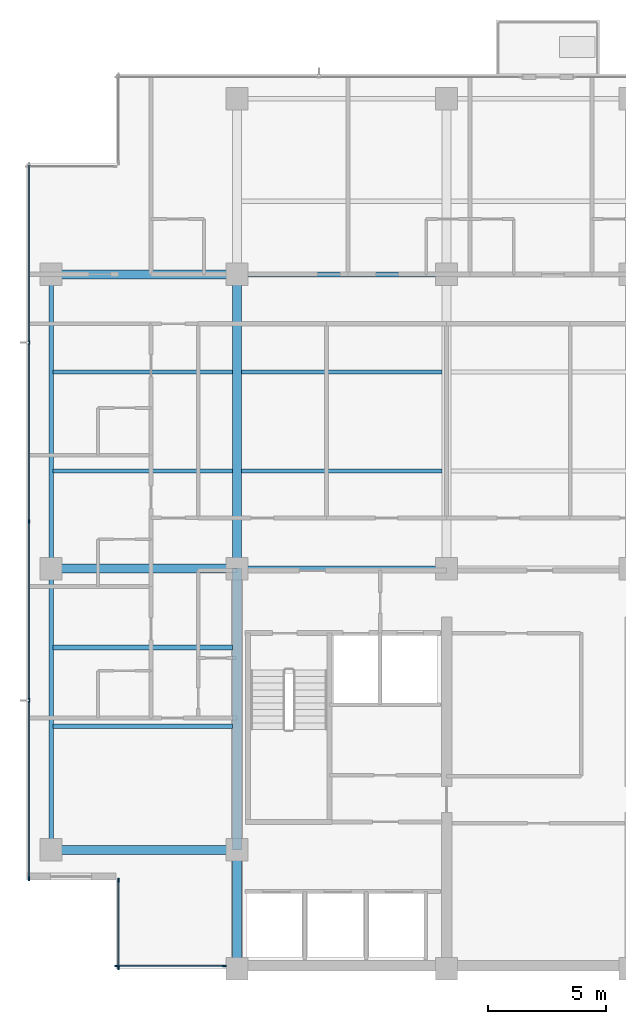
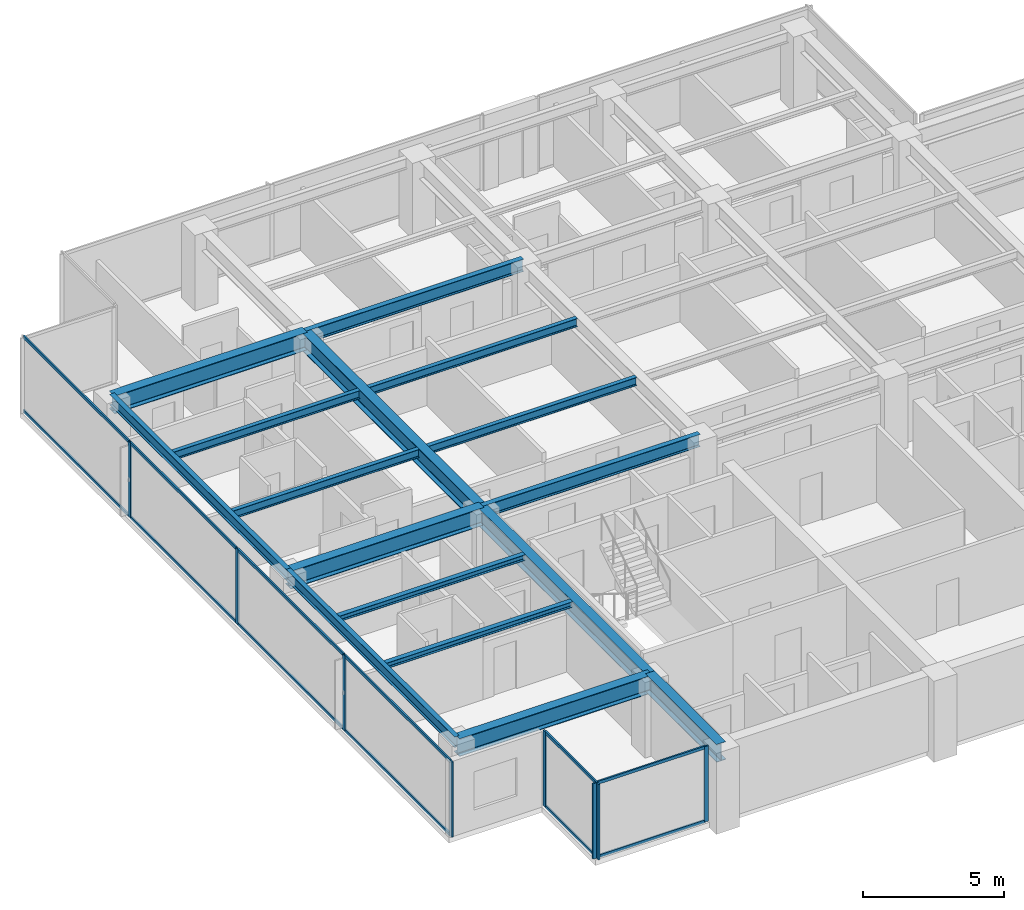
# One storey, part 2 of 15: 20 members, 16 beams, 3 elements without a shape of their own.
"""IFC4 building model written with IfcOpenShell, lengths in metres."""

from ifc_helpers import new_model, si_unit, direction, frame, origin, origin_2d, place, context, subcontext, project, spatial, rectangle, i_section, extrude, material, layer, layer_set, material_profile, profile_set, type_object, element, aggregate, save


model = new_model("IFC4")

# Units and contexts
model_context = context("Model", 3, precision=1e-05, world=origin(), true_north=direction((0.0, 1.0)))
body_context = subcontext(model_context, "Body", "Model", "MODEL_VIEW")
ifc_project = project(units=[si_unit("LENGTHUNIT", "METRE"), si_unit("AREAUNIT", "SQUARE_METRE"), si_unit("VOLUMEUNIT", "CUBIC_METRE"), si_unit("PLANEANGLEUNIT", "RADIAN"), si_unit("MASSUNIT", "GRAM", prefix="KILO")], contexts=[model_context])

# Site, building, storey
site_placement = place(None, origin())
site = spatial("IfcSite", under=ifc_project, at=site_placement, CompositionType="ELEMENT")
building_placement = place(site_placement, origin())
building = spatial("IfcBuilding", under=site, at=building_placement, Name="Qalmaran Belvedere Hotel", CompositionType="ELEMENT")
storey_placement = place(building_placement, frame((0.0, 0.0, 203.89990234375)))
storey = spatial("IfcBuildingStorey", under=building, at=storey_placement, Name="L51", CompositionType="ELEMENT", Elevation=203.89990234375)

# Beams
ifc_material_1 = material(Name="Steel S355JR", Category="steel")
ifc_material_profile_1 = material_profile(ifc_material_1, i_section(OverallWidth=0.201904296875, OverallDepth=0.2470703125, WebThickness=0.00732421875, FlangeThickness=0.010986328125, FilletRadius=0.011962890625, at=origin_2d()), Name="W250X49")
ifc_profile_set_1 = profile_set([ifc_material_profile_1], Name="Steel S355JR")
beam_type_1 = type_object("IfcBeamType", Name="BM-JST-W250X49", PredefinedType="JOIST", material=ifc_profile_set_1)
for number, where, z_axis, x_axis, name in (
    (1, (12.493896484375, 13.800048828125, 3.13671875), (1.0, 0.0, 0.0), (0.0, 1.0, 0.0), "L51 West Wing Joist 038"),
    (2, (12.493896484375, 17.14990234375, 3.13671875), (1.0, 0.0, 0.0), (0.0, 1.0, 0.0), "L51 West Wing Joist 040"),
):
    element("IfcBeam", number, at=place(storey_placement, frame(where, z_axis=z_axis, x_axis=x_axis)), inside=storey, type_object=beam_type_1, Name=name, PredefinedType="JOIST", context=body_context, shape_type="SweptSolid", body=[
        extrude(i_section(OverallWidth=0.201904296875, OverallDepth=0.2470703125, WebThickness=0.00732421875, FlangeThickness=0.010986328125, FilletRadius=0.011962890625, at=origin_2d()), origin(), (0.0, 0.0, 1.0), 7.61767578125),
    ])
ifc_material_profile_2 = material_profile(ifc_material_1, i_section(OverallWidth=0.381103515625, OverallDepth=0.77294921875, WebThickness=0.0166015625, FlangeThickness=0.027099609375, FilletRadius=0.02197265625, at=origin_2d()), Name="W760X257")
ifc_profile_set_2 = profile_set([ifc_material_profile_2], Name="Steel S355JR")
beam_type_2 = type_object("IfcBeamType", Name="BM-PG4-W760X257", PredefinedType="USERDEFINED", material=ifc_profile_set_2)
beam_1_placement = place(storey_placement, frame((20.300048828125, 20.5, 2.87353515625), z_axis=(0.0, 1.0, 0.0), x_axis=(-1.0, 0.0, 0.0)))
element("IfcBeam", 3, at=beam_1_placement, inside=storey, type_object=beam_type_2, Name="L51 Mid-Plate N-S Girder 14", ObjectType="GIRDER", PredefinedType="USERDEFINED", context=body_context, shape_type="SweptSolid", body=[
    extrude(i_section(OverallWidth=0.381103515625, OverallDepth=0.77294921875, WebThickness=0.0166015625, FlangeThickness=0.027099609375, FilletRadius=0.02197265625, at=origin_2d()), origin(), (0.0, 0.0, 1.0), 12.5),
])
for number, where, z_axis, x_axis, name in (
    (4, (12.39990234375, 8.550048828125, 2.87353515625), (1.0, 0.0, 0.0), (0.0, 1.0, 0.0), "L51 West Wing Girder 22"),
    (5, (12.39990234375, 20.5, 2.87353515625), (1.0, 0.0, 0.0), (0.0, 1.0, 0.0), "L51 West Wing Girder 23"),
    (6, (12.39990234375, 33.0, 2.87353515625), (1.0, 0.0, 0.0), (0.0, 1.0, 0.0), "L51 West Wing Girder 24"),
):
    element("IfcBeam", number, at=place(storey_placement, frame(where, z_axis=z_axis, x_axis=x_axis)), inside=storey, type_object=beam_type_2, Name=name, ObjectType="GIRDER", PredefinedType="USERDEFINED", context=body_context, shape_type="SweptSolid", body=[
        extrude(i_section(OverallWidth=0.381103515625, OverallDepth=0.77294921875, WebThickness=0.0166015625, FlangeThickness=0.027099609375, FilletRadius=0.02197265625, at=origin_2d()), origin(), (0.0, 0.0, 1.0), 7.900146484375),
    ])
beam_2_placement = place(storey_placement, frame((20.300048828125, 3.5, 2.87353515625), z_axis=(0.0, 1.0, 0.0), x_axis=(-1.0, 0.0, 0.0)))
element("IfcBeam", 7, at=beam_2_placement, inside=storey, type_object=beam_type_2, Name="L51 West Core Edge Girder A", ObjectType="GIRDER", PredefinedType="USERDEFINED", context=body_context, shape_type="SweptSolid", body=[
    extrude(i_section(OverallWidth=0.381103515625, OverallDepth=0.77294921875, WebThickness=0.0166015625, FlangeThickness=0.027099609375, FilletRadius=0.02197265625, at=origin_2d()), origin(), (0.0, 0.0, 1.0), 5.050048828125),
])
beam_3_placement = place(storey_placement, frame((20.300048828125, 8.550048828125, 2.87353515625), z_axis=(0.0, 1.0, 0.0), x_axis=(-1.0, 0.0, 0.0)))
element("IfcBeam", 8, at=beam_3_placement, inside=storey, type_object=beam_type_2, Name="L51 West Core Edge Girder B", ObjectType="GIRDER", PredefinedType="USERDEFINED", context=body_context, shape_type="SweptSolid", body=[
    extrude(i_section(OverallWidth=0.381103515625, OverallDepth=0.77294921875, WebThickness=0.0166015625, FlangeThickness=0.027099609375, FilletRadius=0.02197265625, at=origin_2d()), origin(), (0.0, 0.0, 1.0), 11.949951171875),
])
ifc_material_profile_3 = material_profile(ifc_material_1, i_section(OverallWidth=0.172119140625, OverallDepth=0.35791015625, WebThickness=0.0078125, FlangeThickness=0.01318359375, FilletRadius=0.014892578125, at=origin_2d()), Name="W360X57")
ifc_profile_set_3 = profile_set([ifc_material_profile_3], Name="Steel S355JR")
beam_type_3 = type_object("IfcBeamType", Name="BM-SB4-W360X57", PredefinedType="BEAM", material=ifc_profile_set_3)
beam_4_placement = place(storey_placement, frame((12.493896484375, 24.64990234375, 3.0810546875), z_axis=(1.0, 0.0, 0.0), x_axis=(0.0, 1.0, 0.0)))
element("IfcBeam", 9, at=beam_4_placement, inside=storey, type_object=beam_type_3, Name="L51 West Secondary Beam 028", PredefinedType="BEAM", context=body_context, shape_type="SweptSolid", body=[
    extrude(i_section(OverallWidth=0.172119140625, OverallDepth=0.35791015625, WebThickness=0.0078125, FlangeThickness=0.01318359375, FilletRadius=0.014892578125, at=origin_2d()), origin(), (0.0, 0.0, 1.0), 7.61767578125),
])
beam_5_placement = place(storey_placement, frame((20.488525390625, 24.64990234375, 3.0810546875), z_axis=(1.0, 0.0, 0.0), x_axis=(0.0, 1.0, 0.0)))
element("IfcBeam", 10, at=beam_5_placement, inside=storey, type_object=beam_type_3, Name="L51 Secondary Floor Beam 029", PredefinedType="BEAM", context=body_context, shape_type="SweptSolid", body=[
    extrude(i_section(OverallWidth=0.172119140625, OverallDepth=0.35791015625, WebThickness=0.0078125, FlangeThickness=0.01318359375, FilletRadius=0.014892578125, at=origin_2d()), origin(), (0.0, 0.0, 1.0), 8.52294921875),
])
beam_6_placement = place(storey_placement, frame((12.493896484375, 28.85009765625, 3.0810546875), z_axis=(1.0, 0.0, 0.0), x_axis=(0.0, 1.0, 0.0)))
element("IfcBeam", 11, at=beam_6_placement, inside=storey, type_object=beam_type_3, Name="L51 West Secondary Beam 033", PredefinedType="BEAM", context=body_context, shape_type="SweptSolid", body=[
    extrude(i_section(OverallWidth=0.172119140625, OverallDepth=0.35791015625, WebThickness=0.0078125, FlangeThickness=0.01318359375, FilletRadius=0.014892578125, at=origin_2d()), origin(), (0.0, 0.0, 1.0), 7.61767578125),
])
beam_7_placement = place(storey_placement, frame((20.488525390625, 28.85009765625, 3.0810546875), z_axis=(1.0, 0.0, 0.0), x_axis=(0.0, 1.0, 0.0)))
element("IfcBeam", 12, at=beam_7_placement, inside=storey, type_object=beam_type_3, Name="L51 Secondary Floor Beam 034", PredefinedType="BEAM", context=body_context, shape_type="SweptSolid", body=[
    extrude(i_section(OverallWidth=0.172119140625, OverallDepth=0.35791015625, WebThickness=0.0078125, FlangeThickness=0.01318359375, FilletRadius=0.014892578125, at=origin_2d()), origin(), (0.0, 0.0, 1.0), 8.52294921875),
])
ifc_material_profile_4 = material_profile(ifc_material_1, i_section(OverallWidth=0.19189453125, OverallDepth=0.462890625, WebThickness=0.010498046875, FlangeThickness=0.017578125, FilletRadius=0.01611328125, at=origin_2d()), Name="W460X89")
ifc_profile_set_4 = profile_set([ifc_material_profile_4], Name="Steel S355JR")
beam_type_4 = type_object("IfcBeamType", Name="BM-SP2-W460X89", PredefinedType="SPANDREL", material=ifc_profile_set_4)
beam_8_placement = place(storey_placement, frame((12.39990234375, 8.550048828125, 3.028564453125), z_axis=(0.0, 1.0, 0.0), x_axis=(-1.0, 0.0, 0.0)))
element("IfcBeam", 13, at=beam_8_placement, inside=storey, type_object=beam_type_4, Name="L51 Perimeter Spandrel 01", PredefinedType="SPANDREL", context=body_context, shape_type="SweptSolid", body=[
    extrude(i_section(OverallWidth=0.19189453125, OverallDepth=0.462890625, WebThickness=0.010498046875, FlangeThickness=0.017578125, FilletRadius=0.01611328125, at=origin_2d()), origin(), (0.0, 0.0, 1.0), 11.949951171875),
])
beam_9_placement = place(storey_placement, frame((12.39990234375, 20.5, 3.028564453125), z_axis=(0.0, 1.0, 0.0), x_axis=(-1.0, 0.0, 0.0)))
element("IfcBeam", 14, at=beam_9_placement, inside=storey, type_object=beam_type_4, Name="L51 Perimeter Spandrel 02", PredefinedType="SPANDREL", context=body_context, shape_type="SweptSolid", body=[
    extrude(i_section(OverallWidth=0.19189453125, OverallDepth=0.462890625, WebThickness=0.010498046875, FlangeThickness=0.017578125, FilletRadius=0.01611328125, at=origin_2d()), origin(), (0.0, 0.0, 1.0), 12.5),
])
ifc_material_profile_5 = material_profile(ifc_material_1, i_section(OverallWidth=0.2109375, OverallDepth=0.5390625, WebThickness=0.01171875, FlangeThickness=0.018798828125, FilletRadius=0.01806640625, at=origin_2d()), Name="W530X109")
ifc_profile_set_5 = profile_set([ifc_material_profile_5], Name="Steel S355JR")
beam_type_5 = type_object("IfcBeamType", Name="BM-Z4-W530X109", PredefinedType="USERDEFINED", material=ifc_profile_set_5)
for number, where, z_axis, x_axis, name in (
    (15, (20.300048828125, 20.5, 2.990478515625), (1.0, 0.0, 0.0), (0.0, 1.0, 0.0), "L51 Interior E-W Girder 08"),
    (16, (20.300048828125, 33.0, 2.990478515625), (1.0, 0.0, 0.0), (0.0, 1.0, 0.0), "L51 Interior E-W Girder 11"),
):
    element("IfcBeam", number, at=place(storey_placement, frame(where, z_axis=z_axis, x_axis=x_axis)), inside=storey, type_object=beam_type_5, Name=name, ObjectType="GIRDER", PredefinedType="USERDEFINED", context=body_context, shape_type="SweptSolid", body=[
        extrude(i_section(OverallWidth=0.2109375, OverallDepth=0.5390625, WebThickness=0.01171875, FlangeThickness=0.018798828125, FilletRadius=0.01806640625, at=origin_2d()), origin(), (0.0, 0.0, 1.0), 8.89990234375),
    ])

# Curtain wall, members
ifc_material_2 = material(Name="Anodised Bronze Aluminium", Category="aluminium")
ifc_layer = layer(ifc_material_2, 0.18994140625, Name="Anodised Bronze Aluminium")
ifc_layer_set = layer_set([ifc_layer], Name="Anodised Bronze Aluminium")
curtain_wall_type = type_object("IfcCurtainWallType", Name="CW5-TOWER-UPPER", PredefinedType="NOTDEFINED", material=ifc_layer_set)
curtain_wall_1_placement = place(storey_placement, origin())
curtain_wall_1 = element("IfcCurtainWall", 17, at=curtain_wall_1_placement, inside=storey, type_object=curtain_wall_type, Name="L51 Curtain Wall CW5", PredefinedType="NOTDEFINED")
ifc_material_profile_6 = material_profile(ifc_material_2, rectangle(XDim=0.06494140625, YDim=0.1650390625, at=origin_2d()), Name="CWM65X165")
ifc_profile_set_6 = profile_set([ifc_material_profile_6], Name="Anodised Bronze Aluminium")
member_type_1 = type_object("IfcMemberType", Name="CWM-65X165", PredefinedType="MULLION", material=ifc_profile_set_6)
member_1_placement = place(storey_placement, frame((15.1826171875, 3.6201171875, 0.0), z_axis=(0.0, 0.0, 1.0), x_axis=(0.0, 1.0, 0.0)))
member_1 = element("IfcMember", 18, at=member_1_placement, type_object=member_type_1, Name="CW5 mullion 1", PredefinedType="MULLION", context=body_context, shape_type="SweptSolid", body=[
    extrude(rectangle(XDim=0.06494140625, YDim=0.1650390625, at=origin_2d()), origin(), (0.0, 0.0, 1.0), 3.260009765625),
])
member_2_placement = place(storey_placement, frame((19.75244140625, 3.6201171875, 0.0), z_axis=(0.0, 0.0, 1.0), x_axis=(0.0, 1.0, 0.0)))
member_2 = element("IfcMember", 19, at=member_2_placement, type_object=member_type_1, Name="CW5 mullion 2", PredefinedType="MULLION", context=body_context, shape_type="SweptSolid", body=[
    extrude(rectangle(XDim=0.06494140625, YDim=0.1650390625, at=origin_2d()), origin(), (0.0, 0.0, 1.0), 3.260009765625),
])

curtain_wall_2_placement = place(storey_placement, origin())
curtain_wall_2 = element("IfcCurtainWall", 20, at=curtain_wall_2_placement, inside=storey, type_object=curtain_wall_type, Name="L51 Curtain Wall CW5", PredefinedType="NOTDEFINED")
member_3_placement = place(storey_placement, frame((11.469970703125, 30.10009765625, 0.0), z_axis=(0.0, 0.0, 1.0), x_axis=(1.0, 0.0, 0.0)))
member_3 = element("IfcMember", 21, at=member_3_placement, type_object=member_type_1, Name="CW5 mullion 2", PredefinedType="MULLION", context=body_context, shape_type="SweptSolid", body=[
    extrude(rectangle(XDim=0.06494140625, YDim=0.1650390625, at=origin_2d()), origin(), (0.0, 0.0, 1.0), 3.260009765625),
])
member_4_placement = place(storey_placement, frame((11.469970703125, 22.5, 0.0), z_axis=(0.0, 0.0, 1.0), x_axis=(1.0, 0.0, 0.0)))
member_4 = element("IfcMember", 22, at=member_4_placement, type_object=member_type_1, Name="CW5 mullion 3", PredefinedType="MULLION", context=body_context, shape_type="SweptSolid", body=[
    extrude(rectangle(XDim=0.06494140625, YDim=0.1650390625, at=origin_2d()), origin(), (0.0, 0.0, 1.0), 3.260009765625),
])
member_5_placement = place(storey_placement, frame((11.469970703125, 14.89990234375, 0.0), z_axis=(0.0, 0.0, 1.0), x_axis=(1.0, 0.0, 0.0)))
member_5 = element("IfcMember", 23, at=member_5_placement, type_object=member_type_1, Name="CW5 mullion 4", PredefinedType="MULLION", context=body_context, shape_type="SweptSolid", body=[
    extrude(rectangle(XDim=0.06494140625, YDim=0.1650390625, at=origin_2d()), origin(), (0.0, 0.0, 1.0), 3.260009765625),
])
member_6_placement = place(storey_placement, frame((11.469970703125, 7.33251953125, 0.0), z_axis=(0.0, 0.0, 1.0), x_axis=(1.0, 0.0, 0.0)))
member_6 = element("IfcMember", 24, at=member_6_placement, type_object=member_type_1, Name="CW5 mullion 5", PredefinedType="MULLION", context=body_context, shape_type="SweptSolid", body=[
    extrude(rectangle(XDim=0.06494140625, YDim=0.1650390625, at=origin_2d()), origin(), (0.0, 0.0, 1.0), 3.260009765625),
])

curtain_wall_3_placement = place(storey_placement, origin())
curtain_wall_3 = element("IfcCurtainWall", 25, at=curtain_wall_3_placement, inside=storey, type_object=curtain_wall_type, Name="L51 Curtain Wall CW5", PredefinedType="NOTDEFINED")
member_7_placement = place(storey_placement, frame((15.27001953125, 7.267578125, 0.0), z_axis=(0.0, 0.0, 1.0), x_axis=(1.0, 0.0, 0.0)))
member_7 = element("IfcMember", 26, at=member_7_placement, type_object=member_type_1, Name="CW5 mullion 1", PredefinedType="MULLION", context=body_context, shape_type="SweptSolid", body=[
    extrude(rectangle(XDim=0.06494140625, YDim=0.1650390625, at=origin_2d()), origin(), (0.0, 0.0, 1.0), 3.260009765625),
])
member_8_placement = place(storey_placement, frame((15.27001953125, 3.532470703125, 0.0), z_axis=(0.0, 0.0, 1.0), x_axis=(1.0, 0.0, 0.0)))
member_8 = element("IfcMember", 27, at=member_8_placement, type_object=member_type_1, Name="CW5 mullion 2", PredefinedType="MULLION", context=body_context, shape_type="SweptSolid", body=[
    extrude(rectangle(XDim=0.06494140625, YDim=0.1650390625, at=origin_2d()), origin(), (0.0, 0.0, 1.0), 3.260009765625),
])

# Member
ifc_material_profile_7 = material_profile(ifc_material_2, rectangle(XDim=0.06494140625, YDim=0.1298828125, at=origin_2d()), Name="CWT65X130")
ifc_profile_set_7 = profile_set([ifc_material_profile_7], Name="Anodised Bronze Aluminium")
member_type_2 = type_object("IfcMemberType", Name="CWT-65X130", PredefinedType="USERDEFINED", material=ifc_profile_set_7)
member_9_placement = place(storey_placement, frame((15.215087890625, 3.6201171875, 0.03271484375), z_axis=(1.0, 0.0, 0.0), x_axis=(0.0, 1.0, 0.0)))
member_9 = element("IfcMember", 28, at=member_9_placement, type_object=member_type_2, Name="CW5 transom 1.1", ObjectType="TRANSOM", PredefinedType="USERDEFINED", context=body_context, shape_type="SweptSolid", body=[
    extrude(rectangle(XDim=0.06494140625, YDim=0.1298828125, at=origin_2d()), origin(), (0.0, 0.0, 1.0), 4.5048828125),
])

member_10_placement = place(storey_placement, frame((15.215087890625, 3.6201171875, 3.2275390625), z_axis=(1.0, 0.0, 0.0), x_axis=(0.0, 1.0, 0.0)))
member_10 = element("IfcMember", 29, at=member_10_placement, type_object=member_type_2, Name="CW5 transom 1.2", ObjectType="TRANSOM", PredefinedType="USERDEFINED", context=body_context, shape_type="SweptSolid", body=[
    extrude(rectangle(XDim=0.06494140625, YDim=0.1298828125, at=origin_2d()), origin(), (0.0, 0.0, 1.0), 4.5048828125),
])

aggregate(curtain_wall_1, [member_1, member_2, member_9, member_10])

member_11_placement = place(storey_placement, frame((11.469970703125, 37.635009765625, 0.03271484375), z_axis=(0.0, -1.0, 0.0), x_axis=(1.0, 0.0, 0.0)))
member_11 = element("IfcMember", 30, at=member_11_placement, type_object=member_type_2, Name="CW5 transom 1.1", ObjectType="TRANSOM", PredefinedType="USERDEFINED", context=body_context, shape_type="SweptSolid", body=[
    extrude(rectangle(XDim=0.06494140625, YDim=0.1298828125, at=origin_2d()), origin(), (0.0, 0.0, 1.0), 7.50244140625),
])

member_12_placement = place(storey_placement, frame((11.469970703125, 37.635009765625, 3.2275390625), z_axis=(0.0, -1.0, 0.0), x_axis=(1.0, 0.0, 0.0)))
member_12 = element("IfcMember", 31, at=member_12_placement, type_object=member_type_2, Name="CW5 transom 1.2", ObjectType="TRANSOM", PredefinedType="USERDEFINED", context=body_context, shape_type="SweptSolid", body=[
    extrude(rectangle(XDim=0.06494140625, YDim=0.1298828125, at=origin_2d()), origin(), (0.0, 0.0, 1.0), 7.50244140625),
])

member_13_placement = place(storey_placement, frame((11.469970703125, 30.0673828125, 0.03271484375), z_axis=(0.0, -1.0, 0.0), x_axis=(1.0, 0.0, 0.0)))
member_13 = element("IfcMember", 32, at=member_13_placement, type_object=member_type_2, Name="CW5 transom 2.1", ObjectType="TRANSOM", PredefinedType="USERDEFINED", context=body_context, shape_type="SweptSolid", body=[
    extrude(rectangle(XDim=0.06494140625, YDim=0.1298828125, at=origin_2d()), origin(), (0.0, 0.0, 1.0), 7.534912109375),
])

member_14_placement = place(storey_placement, frame((11.469970703125, 30.0673828125, 3.2275390625), z_axis=(0.0, -1.0, 0.0), x_axis=(1.0, 0.0, 0.0)))
member_14 = element("IfcMember", 33, at=member_14_placement, type_object=member_type_2, Name="CW5 transom 2.2", ObjectType="TRANSOM", PredefinedType="USERDEFINED", context=body_context, shape_type="SweptSolid", body=[
    extrude(rectangle(XDim=0.06494140625, YDim=0.1298828125, at=origin_2d()), origin(), (0.0, 0.0, 1.0), 7.534912109375),
])

member_15_placement = place(storey_placement, frame((11.469970703125, 22.467529296875, 0.03271484375), z_axis=(0.0, -1.0, 0.0), x_axis=(1.0, 0.0, 0.0)))
member_15 = element("IfcMember", 34, at=member_15_placement, type_object=member_type_2, Name="CW5 transom 3.1", ObjectType="TRANSOM", PredefinedType="USERDEFINED", context=body_context, shape_type="SweptSolid", body=[
    extrude(rectangle(XDim=0.06494140625, YDim=0.1298828125, at=origin_2d()), origin(), (0.0, 0.0, 1.0), 7.534912109375),
])

member_16_placement = place(storey_placement, frame((11.469970703125, 22.467529296875, 3.2275390625), z_axis=(0.0, -1.0, 0.0), x_axis=(1.0, 0.0, 0.0)))
member_16 = element("IfcMember", 35, at=member_16_placement, type_object=member_type_2, Name="CW5 transom 3.2", ObjectType="TRANSOM", PredefinedType="USERDEFINED", context=body_context, shape_type="SweptSolid", body=[
    extrude(rectangle(XDim=0.06494140625, YDim=0.1298828125, at=origin_2d()), origin(), (0.0, 0.0, 1.0), 7.534912109375),
])

member_17_placement = place(storey_placement, frame((11.469970703125, 14.867431640625, 0.03271484375), z_axis=(0.0, -1.0, 0.0), x_axis=(1.0, 0.0, 0.0)))
member_17 = element("IfcMember", 36, at=member_17_placement, type_object=member_type_2, Name="CW5 transom 4.1", ObjectType="TRANSOM", PredefinedType="USERDEFINED", context=body_context, shape_type="SweptSolid", body=[
    extrude(rectangle(XDim=0.06494140625, YDim=0.1298828125, at=origin_2d()), origin(), (0.0, 0.0, 1.0), 7.50244140625),
])

member_18_placement = place(storey_placement, frame((11.469970703125, 14.867431640625, 3.2275390625), z_axis=(0.0, -1.0, 0.0), x_axis=(1.0, 0.0, 0.0)))
member_18 = element("IfcMember", 37, at=member_18_placement, type_object=member_type_2, Name="CW5 transom 4.2", ObjectType="TRANSOM", PredefinedType="USERDEFINED", context=body_context, shape_type="SweptSolid", body=[
    extrude(rectangle(XDim=0.06494140625, YDim=0.1298828125, at=origin_2d()), origin(), (0.0, 0.0, 1.0), 7.50244140625),
])

aggregate(curtain_wall_2, [member_3, member_4, member_5, member_6, member_11, member_12, member_13, member_14, member_15, member_16, member_17, member_18])

member_19_placement = place(storey_placement, frame((15.27001953125, 7.235107421875, 0.03271484375), z_axis=(0.0, -1.0, 0.0), x_axis=(1.0, 0.0, 0.0)))
member_19 = element("IfcMember", 38, at=member_19_placement, type_object=member_type_2, Name="CW5 transom 1.1", ObjectType="TRANSOM", PredefinedType="USERDEFINED", context=body_context, shape_type="SweptSolid", body=[
    extrude(rectangle(XDim=0.06494140625, YDim=0.1298828125, at=origin_2d()), origin(), (0.0, 0.0, 1.0), 3.670166015625),
])

member_20_placement = place(storey_placement, frame((15.27001953125, 7.235107421875, 3.2275390625), z_axis=(0.0, -1.0, 0.0), x_axis=(1.0, 0.0, 0.0)))
member_20 = element("IfcMember", 39, at=member_20_placement, type_object=member_type_2, Name="CW5 transom 1.2", ObjectType="TRANSOM", PredefinedType="USERDEFINED", context=body_context, shape_type="SweptSolid", body=[
    extrude(rectangle(XDim=0.06494140625, YDim=0.1298828125, at=origin_2d()), origin(), (0.0, 0.0, 1.0), 3.670166015625),
])

aggregate(curtain_wall_3, [member_7, member_8, member_19, member_20])

save(model, "model.ifc")
